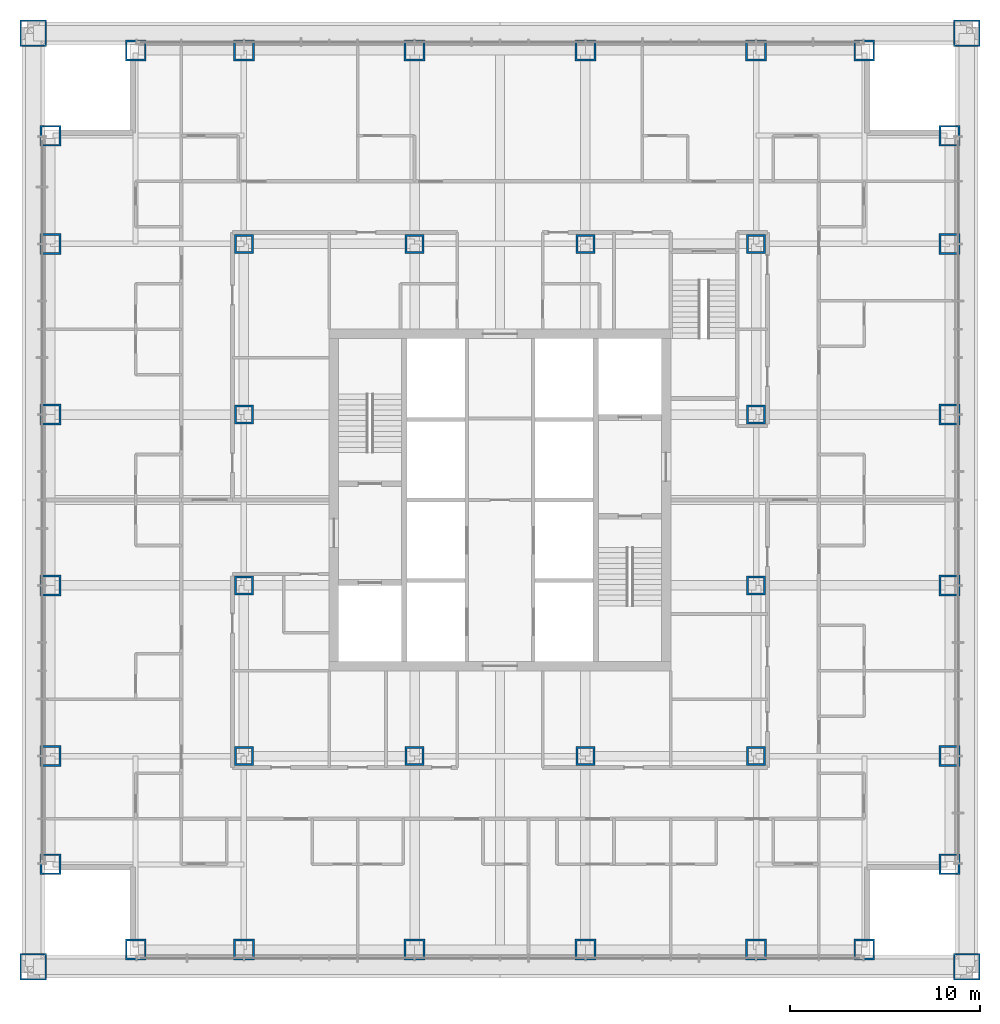
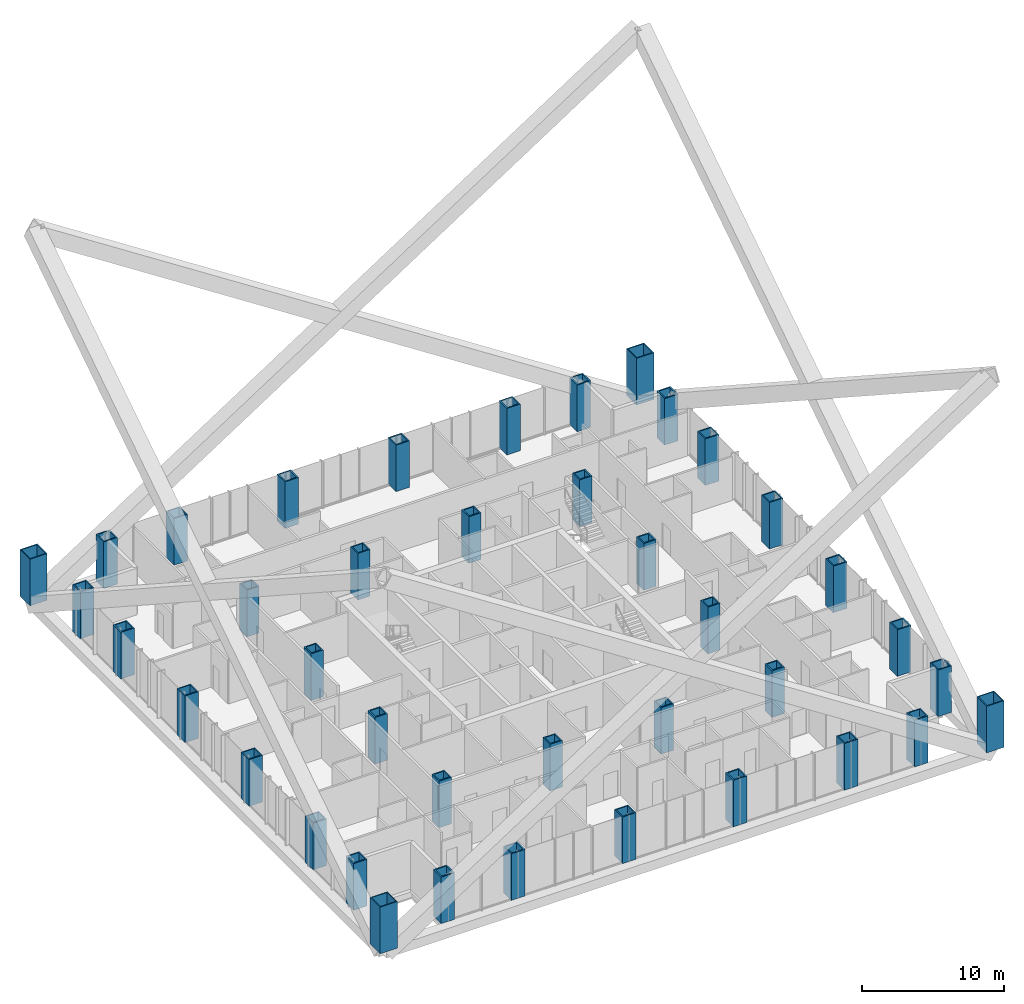
# One storey, part 1 of 21: 40 columns.
"""IFC4 building model written with IfcOpenShell, lengths in metres."""

from ifc_helpers import new_model, si_unit, direction, frame, origin, origin_2d, place, context, subcontext, project, spatial, hollow_rectangle, extrude, material, material_profile, profile_set, type_object, element, save


model = new_model("IFC4")

# Units and contexts
model_context = context("Model", 3, precision=1e-05, world=origin(), true_north=direction((0.0, 1.0)))
body_context = subcontext(model_context, "Body", "Model", "MODEL_VIEW")
ifc_project = project(units=[si_unit("LENGTHUNIT", "METRE"), si_unit("AREAUNIT", "SQUARE_METRE"), si_unit("VOLUMEUNIT", "CUBIC_METRE"), si_unit("PLANEANGLEUNIT", "RADIAN"), si_unit("MASSUNIT", "GRAM", prefix="KILO")], contexts=[model_context])

# Site, building, storey
site_placement = place(None, origin())
site = spatial("IfcSite", under=ifc_project, at=site_placement, CompositionType="ELEMENT")
building_placement = place(site_placement, origin())
building = spatial("IfcBuilding", under=site, at=building_placement, Name="Malebo Sky Hospital", CompositionType="ELEMENT")
storey_placement = place(building_placement, frame((0.0, 0.0, 140.0)))
storey = spatial("IfcBuildingStorey", under=building, at=storey_placement, Name="L33", CompositionType="ELEMENT", Elevation=140.0)

# Columns
ifc_material = material(Name="Steel S460", Category="steel")
ifc_material_profile_1 = material_profile(ifc_material, hollow_rectangle(XDim=1.0, YDim=1.0, WallThickness=0.10009765625, at=origin_2d()), Name="BOX 1000x1000x100")
ifc_profile_set_1 = profile_set([ifc_material_profile_1], Name="Steel S460")
column_type_1 = type_object("IfcColumnType", Name="INNER COLUMN BOX 1000x1000x100", PredefinedType="COLUMN", material=ifc_profile_set_1)
for number, where, z_axis, x_axis, name in (
    (1, (46.5, 48.5, 0.0), (0.0, 0.0, 1.0), (1.0, 0.0, 0.0), "Column IC9 L33"),
    (2, (73.5, 48.5, 0.0), (0.0, 0.0, 1.0), (1.0, 0.0, 0.0), "Column IC9 L33"),
    (3, (73.5, 75.5, 0.0), (0.0, 0.0, 1.0), (1.0, 0.0, 0.0), "Column IC9 L33"),
    (4, (46.5, 75.5, 0.0), (0.0, 0.0, 1.0), (1.0, 0.0, 0.0), "Column IC9 L33"),
    (5, (55.5, 48.5, 0.0), (0.0, 0.0, 1.0), (1.0, 0.0, 0.0), "Column IC9 L33"),
    (6, (64.5, 48.5, 0.0), (0.0, 0.0, 1.0), (1.0, 0.0, 0.0), "Column IC9 L33"),
    (7, (55.5, 75.5, 0.0), (0.0, 0.0, 1.0), (1.0, 0.0, 0.0), "Column IC9 L33"),
    (8, (64.5, 75.5, 0.0), (0.0, 0.0, 1.0), (1.0, 0.0, 0.0), "Column IC9 L33"),
    (9, (46.5, 57.5, 0.0), (0.0, 0.0, 1.0), (1.0, 0.0, 0.0), "Column IC9 L33"),
    (10, (46.5, 66.5, 0.0), (0.0, 0.0, 1.0), (1.0, 0.0, 0.0), "Column IC9 L33"),
    (11, (73.5, 57.5, 0.0), (0.0, 0.0, 1.0), (1.0, 0.0, 0.0), "Column IC9 L33"),
    (12, (73.5, 66.5, 0.0), (0.0, 0.0, 1.0), (1.0, 0.0, 0.0), "Column IC9 L33"),
):
    element("IfcColumn", number, at=place(storey_placement, frame(where, z_axis=z_axis, x_axis=x_axis)), inside=storey, type_object=column_type_1, Name=name, PredefinedType="COLUMN", context=body_context, shape_type="SweptSolid", body=[
        extrude(hollow_rectangle(XDim=1.0, YDim=1.0, WallThickness=0.10009765625, at=origin_2d()), origin(), (0.0, 0.0, 1.0), 4.0),
    ])
ifc_material_profile_2 = material_profile(ifc_material, hollow_rectangle(XDim=1.39990234375, YDim=1.39990234375, WallThickness=0.080078125, at=origin_2d()), Name="BOX 1400x1400x80")
ifc_profile_set_2 = profile_set([ifc_material_profile_2], Name="Steel S460")
column_type_2 = type_object("IfcColumnType", Name="MEGA COLUMN BOX 1400x1400x80", PredefinedType="COLUMN", material=ifc_profile_set_2)
for number, where, z_axis, x_axis, name in (
    (13, (35.39990234375, 37.39990234375, 0.0), (0.0, 0.0, 1.0), (1.0, 0.0, 0.0), "Mega column SW L33"),
    (14, (84.60009765625, 37.39990234375, 0.0), (0.0, 0.0, 1.0), (1.0, 0.0, 0.0), "Mega column SE L33"),
    (15, (84.60009765625, 86.60009765625, 0.0), (0.0, 0.0, 1.0), (1.0, 0.0, 0.0), "Mega column NE L33"),
    (16, (35.39990234375, 86.60009765625, 0.0), (0.0, 0.0, 1.0), (1.0, 0.0, 0.0), "Mega column NW L33"),
):
    element("IfcColumn", number, at=place(storey_placement, frame(where, z_axis=z_axis, x_axis=x_axis)), inside=storey, type_object=column_type_2, Name=name, PredefinedType="COLUMN", context=body_context, shape_type="SweptSolid", body=[
        extrude(hollow_rectangle(XDim=1.39990234375, YDim=1.39990234375, WallThickness=0.080078125, at=origin_2d()), origin(), (0.0, 0.0, 1.0), 4.0),
    ])
ifc_material_profile_3 = material_profile(ifc_material, hollow_rectangle(XDim=1.10009765625, YDim=1.10009765625, WallThickness=0.10009765625, at=origin_2d()), Name="BOX 1100x1100x100")
ifc_profile_set_3 = profile_set([ifc_material_profile_3], Name="Steel S460")
column_type_3 = type_object("IfcColumnType", Name="PERIMETER COLUMN BOX 1100x1100x100", PredefinedType="COLUMN", material=ifc_profile_set_3)
for number, where, z_axis, x_axis, name in (
    (17, (40.800048828125, 38.300048828125, 0.0), (0.0, 0.0, 1.0), (1.0, 0.0, 0.0), "Column PC10 L33"),
    (18, (40.800048828125, 85.699951171875, 0.0), (0.0, 0.0, 1.0), (1.0, 0.0, 0.0), "Column PC10 L33"),
    (19, (36.300048828125, 42.800048828125, 0.0), (0.0, 0.0, 1.0), (1.0, 0.0, 0.0), "Column PC10 L33"),
    (20, (83.699951171875, 42.800048828125, 0.0), (0.0, 0.0, 1.0), (1.0, 0.0, 0.0), "Column PC10 L33"),
    (21, (46.5, 38.300048828125, 0.0), (0.0, 0.0, 1.0), (1.0, 0.0, 0.0), "Column PC10 L33"),
    (22, (46.5, 85.699951171875, 0.0), (0.0, 0.0, 1.0), (1.0, 0.0, 0.0), "Column PC10 L33"),
    (23, (36.300048828125, 48.5, 0.0), (0.0, 0.0, 1.0), (1.0, 0.0, 0.0), "Column PC10 L33"),
    (24, (83.699951171875, 48.5, 0.0), (0.0, 0.0, 1.0), (1.0, 0.0, 0.0), "Column PC10 L33"),
    (25, (55.5, 38.300048828125, 0.0), (0.0, 0.0, 1.0), (1.0, 0.0, 0.0), "Column PC10 L33"),
    (26, (55.5, 85.699951171875, 0.0), (0.0, 0.0, 1.0), (1.0, 0.0, 0.0), "Column PC10 L33"),
    (27, (36.300048828125, 57.5, 0.0), (0.0, 0.0, 1.0), (1.0, 0.0, 0.0), "Column PC10 L33"),
    (28, (83.699951171875, 57.5, 0.0), (0.0, 0.0, 1.0), (1.0, 0.0, 0.0), "Column PC10 L33"),
    (29, (64.5, 38.300048828125, 0.0), (0.0, 0.0, 1.0), (1.0, 0.0, 0.0), "Column PC10 L33"),
    (30, (64.5, 85.699951171875, 0.0), (0.0, 0.0, 1.0), (1.0, 0.0, 0.0), "Column PC10 L33"),
    (31, (36.300048828125, 66.5, 0.0), (0.0, 0.0, 1.0), (1.0, 0.0, 0.0), "Column PC10 L33"),
    (32, (83.699951171875, 66.5, 0.0), (0.0, 0.0, 1.0), (1.0, 0.0, 0.0), "Column PC10 L33"),
    (33, (73.5, 38.300048828125, 0.0), (0.0, 0.0, 1.0), (1.0, 0.0, 0.0), "Column PC10 L33"),
    (34, (73.5, 85.699951171875, 0.0), (0.0, 0.0, 1.0), (1.0, 0.0, 0.0), "Column PC10 L33"),
    (35, (36.300048828125, 75.5, 0.0), (0.0, 0.0, 1.0), (1.0, 0.0, 0.0), "Column PC10 L33"),
    (36, (83.699951171875, 75.5, 0.0), (0.0, 0.0, 1.0), (1.0, 0.0, 0.0), "Column PC10 L33"),
    (37, (79.199951171875, 38.300048828125, 0.0), (0.0, 0.0, 1.0), (1.0, 0.0, 0.0), "Column PC10 L33"),
    (38, (79.199951171875, 85.699951171875, 0.0), (0.0, 0.0, 1.0), (1.0, 0.0, 0.0), "Column PC10 L33"),
    (39, (36.300048828125, 81.199951171875, 0.0), (0.0, 0.0, 1.0), (1.0, 0.0, 0.0), "Column PC10 L33"),
    (40, (83.699951171875, 81.199951171875, 0.0), (0.0, 0.0, 1.0), (1.0, 0.0, 0.0), "Column PC10 L33"),
):
    element("IfcColumn", number, at=place(storey_placement, frame(where, z_axis=z_axis, x_axis=x_axis)), inside=storey, type_object=column_type_3, Name=name, PredefinedType="COLUMN", context=body_context, shape_type="SweptSolid", body=[
        extrude(hollow_rectangle(XDim=1.10009765625, YDim=1.10009765625, WallThickness=0.10009765625, at=origin_2d()), origin(), (0.0, 0.0, 1.0), 4.0),
    ])

save(model, "model.ifc")
